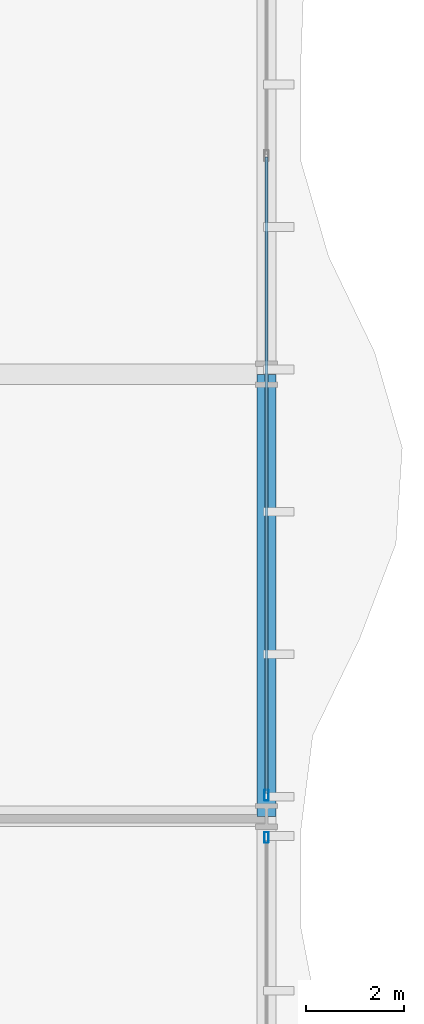
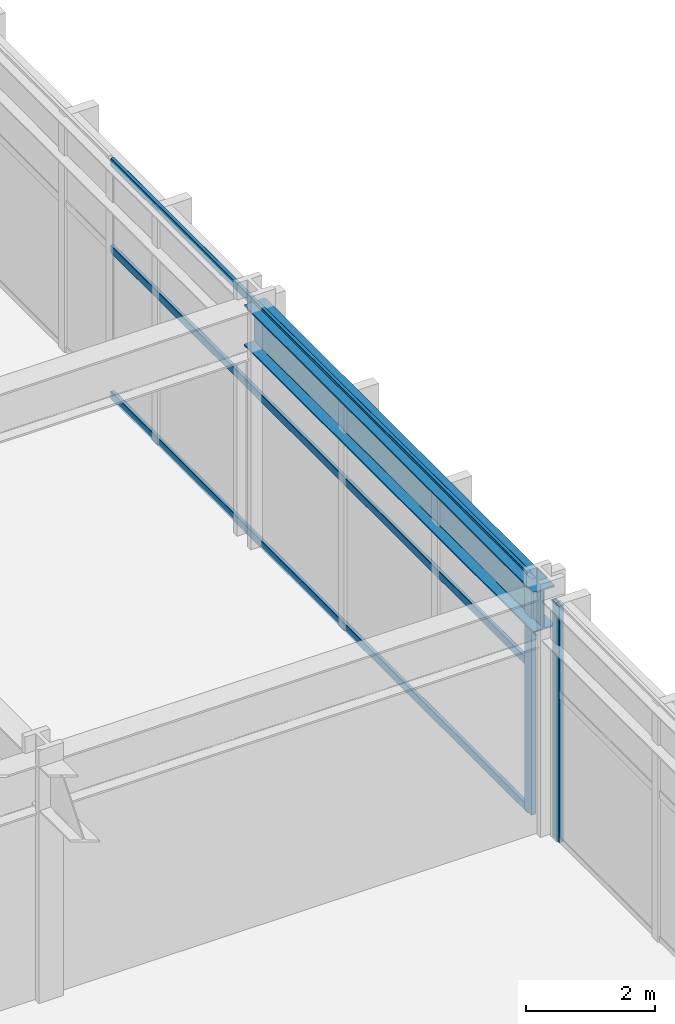
# One storey, part 11 of 29: 5 members, 1 beam, 2 elements without a shape of their own.
"""IFC4 building model written with IfcOpenShell, lengths in metres."""

from ifc_helpers import new_model, si_unit, direction, frame, origin, origin_2d, place, context, subcontext, project, spatial, hollow_rectangle, i_section, extrude, material, layer, layer_set, material_profile, profile_set, type_object, element, aggregate, save


model = new_model("IFC4")

# Units and contexts
model_context = context("Model", 3, precision=1e-05, world=origin(), true_north=direction((0.0, 1.0)))
body_context = subcontext(model_context, "Body", "Model", "MODEL_VIEW")
ifc_project = project(units=[si_unit("LENGTHUNIT", "METRE"), si_unit("AREAUNIT", "SQUARE_METRE"), si_unit("VOLUMEUNIT", "CUBIC_METRE"), si_unit("PLANEANGLEUNIT", "RADIAN"), si_unit("MASSUNIT", "GRAM", prefix="KILO")], contexts=[model_context])

# Site, building, storey
site_placement = place(None, origin())
site = spatial("IfcSite", under=ifc_project, at=site_placement, CompositionType="ELEMENT")
building_placement = place(site_placement, origin())
building = spatial("IfcBuilding", under=site, at=building_placement, Name="Solvaryn Broadcast Tower", CompositionType="ELEMENT")
storey_placement = place(building_placement, frame((0.0, 0.0, 21.199951171875)))
storey = spatial("IfcBuildingStorey", under=building, at=storey_placement, Name="L04", CompositionType="ELEMENT", Elevation=21.199951171875)

# Beam
ifc_material_1 = material(Name="Steel ASTM A992 Grade 50", Category="steel")
ifc_material_profile_1 = material_profile(ifc_material_1, i_section(OverallWidth=0.381103515625, OverallDepth=0.77294921875, WebThickness=0.0166015625, FlangeThickness=0.027099609375, FilletRadius=0.01806640625, at=origin_2d()))
ifc_profile_set_1 = profile_set([ifc_material_profile_1], Name="Steel ASTM A992 Grade 50")
beam_type = type_object("IfcBeamType", Name="BM-SP1-W30X173", PredefinedType="USERDEFINED", material=ifc_profile_set_1)
beam_placement = place(storey_placement, frame((63.0, 27.0, 4.093505859375), z_axis=(0.0, 1.0, 0.0), x_axis=(-1.0, 0.0, 0.0)))
element("IfcBeam", 1, at=beam_placement, inside=storey, type_object=beam_type, Name="L04 Spandrel Beam Y (27-36 @ X=63)", ObjectType="SPANDREL", PredefinedType="USERDEFINED", context=body_context, shape_type="SweptSolid", body=[
    extrude(i_section(OverallWidth=0.381103515625, OverallDepth=0.77294921875, WebThickness=0.0166015625, FlangeThickness=0.027099609375, FilletRadius=0.01806640625, at=origin_2d()), origin(), (0.0, 0.0, 1.0), 9.0),
])

# Curtain wall, member
ifc_material_2 = material(Name="Aluminium and Terracotta Unitised Curtain Wall", Category="masonry")
ifc_layer = layer(ifc_material_2, 0.219970703125)
ifc_layer_set = layer_set([ifc_layer], Name="CW-SYS1-PODIUM")
curtain_wall_type = type_object("IfcCurtainWallType", Name="CW-SYS1-PODIUM", PredefinedType="NOTDEFINED", material=ifc_layer_set)
curtain_wall_1_placement = place(storey_placement, origin())
curtain_wall_1 = element("IfcCurtainWall", 2, at=curtain_wall_1_placement, inside=storey, type_object=curtain_wall_type, Name="L04 Podium Curtain Wall E1", PredefinedType="NOTDEFINED")
ifc_material_3 = material(Name="Anodised Aluminium 6063-T6", Category="aluminium")
ifc_material_profile_2 = material_profile(ifc_material_3, hollow_rectangle(XDim=0.0849609375, YDim=0.219970703125, WallThickness=0.0048828125, InnerFilletRadius=0.0048828125, OuterFilletRadius=0.010009765625, at=origin_2d()))
ifc_profile_set_2 = profile_set([ifc_material_profile_2], Name="Anodised Aluminium 6063-T6")
member_type_1 = type_object("IfcMemberType", Name="CW-MUL-220", PredefinedType="MULLION", material=ifc_profile_set_2)
member_1_placement = place(storey_placement, frame((63.0, 27.429931640625, 0.0), z_axis=(0.0, 0.0, 1.0), x_axis=(1.0, 0.0, 0.0)))
member_1 = element("IfcMember", 3, at=member_1_placement, type_object=member_type_1, Name="CWS1 mullion 3", PredefinedType="MULLION", context=body_context, shape_type="SweptSolid", body=[
    extrude(hollow_rectangle(XDim=0.0849609375, YDim=0.219970703125, WallThickness=0.0048828125, InnerFilletRadius=0.0048828125, OuterFilletRadius=0.010009765625, at=origin_2d()), origin(), (0.0, 0.0, 1.0), 4.47998046875),
])

curtain_wall_2_placement = place(storey_placement, origin())
curtain_wall_2 = element("IfcCurtainWall", 4, at=curtain_wall_2_placement, inside=storey, type_object=curtain_wall_type, Name="L04 Podium Curtain Wall E2", PredefinedType="NOTDEFINED")
member_2_placement = place(storey_placement, frame((63.0, 26.570068359375, 0.0), z_axis=(0.0, 0.0, 1.0), x_axis=(1.0, 0.0, 0.0)))
member_2 = element("IfcMember", 5, at=member_2_placement, type_object=member_type_1, Name="CWS1 mullion 1", PredefinedType="MULLION", context=body_context, shape_type="SweptSolid", body=[
    extrude(hollow_rectangle(XDim=0.0849609375, YDim=0.219970703125, WallThickness=0.0048828125, InnerFilletRadius=0.0048828125, OuterFilletRadius=0.010009765625, at=origin_2d()), origin(), (0.0, 0.0, 1.0), 4.47998046875),
])
aggregate(curtain_wall_2, [member_2])

# Member
ifc_material_4 = material(Name="Anodised Aluminium 6063-T6", Category="aluminium")
ifc_material_profile_3 = material_profile(ifc_material_4, hollow_rectangle(XDim=0.06494140625, YDim=0.14990234375, WallThickness=0.00390625, InnerFilletRadius=0.00390625, OuterFilletRadius=0.008056640625, at=origin_2d()))
ifc_profile_set_3 = profile_set([ifc_material_profile_3], Name="Anodised Aluminium 6063-T6")
member_type_2 = type_object("IfcMemberType", Name="CW-TRN-150", PredefinedType="USERDEFINED", material=ifc_profile_set_3)
member_3_placement = place(storey_placement, frame((63.0, 40.419921875, 0.030029296875), z_axis=(0.0, -1.0, 0.0), x_axis=(1.0, 0.0, 0.0)))
member_3 = element("IfcMember", 6, at=member_3_placement, type_object=member_type_2, Name="CWS1 transom 2.1", ObjectType="TRANSOM", PredefinedType="USERDEFINED", context=body_context, shape_type="SweptSolid", body=[
    extrude(hollow_rectangle(XDim=0.06494140625, YDim=0.14990234375, WallThickness=0.00390625, InnerFilletRadius=0.00390625, OuterFilletRadius=0.008056640625, at=origin_2d()), origin(), (0.0, 0.0, 1.0), 12.9599609375),
])

member_4_placement = place(storey_placement, frame((63.0, 40.419921875, 2.800048828125), z_axis=(0.0, -1.0, 0.0), x_axis=(1.0, 0.0, 0.0)))
member_4 = element("IfcMember", 7, at=member_4_placement, type_object=member_type_2, Name="CWS1 transom 2.2", ObjectType="TRANSOM", PredefinedType="USERDEFINED", context=body_context, shape_type="SweptSolid", body=[
    extrude(hollow_rectangle(XDim=0.06494140625, YDim=0.14990234375, WallThickness=0.00390625, InnerFilletRadius=0.00390625, OuterFilletRadius=0.008056640625, at=origin_2d()), origin(), (0.0, 0.0, 1.0), 12.9599609375),
])

member_5_placement = place(storey_placement, frame((63.0, 40.419921875, 4.449951171875), z_axis=(0.0, -1.0, 0.0), x_axis=(1.0, 0.0, 0.0)))
member_5 = element("IfcMember", 8, at=member_5_placement, type_object=member_type_2, Name="CWS1 transom 2.3", ObjectType="TRANSOM", PredefinedType="USERDEFINED", context=body_context, shape_type="SweptSolid", body=[
    extrude(hollow_rectangle(XDim=0.06494140625, YDim=0.14990234375, WallThickness=0.00390625, InnerFilletRadius=0.00390625, OuterFilletRadius=0.008056640625, at=origin_2d()), origin(), (0.0, 0.0, 1.0), 12.9599609375),
])

aggregate(curtain_wall_1, [member_1, member_3, member_4, member_5])

save(model, "model.ifc")
